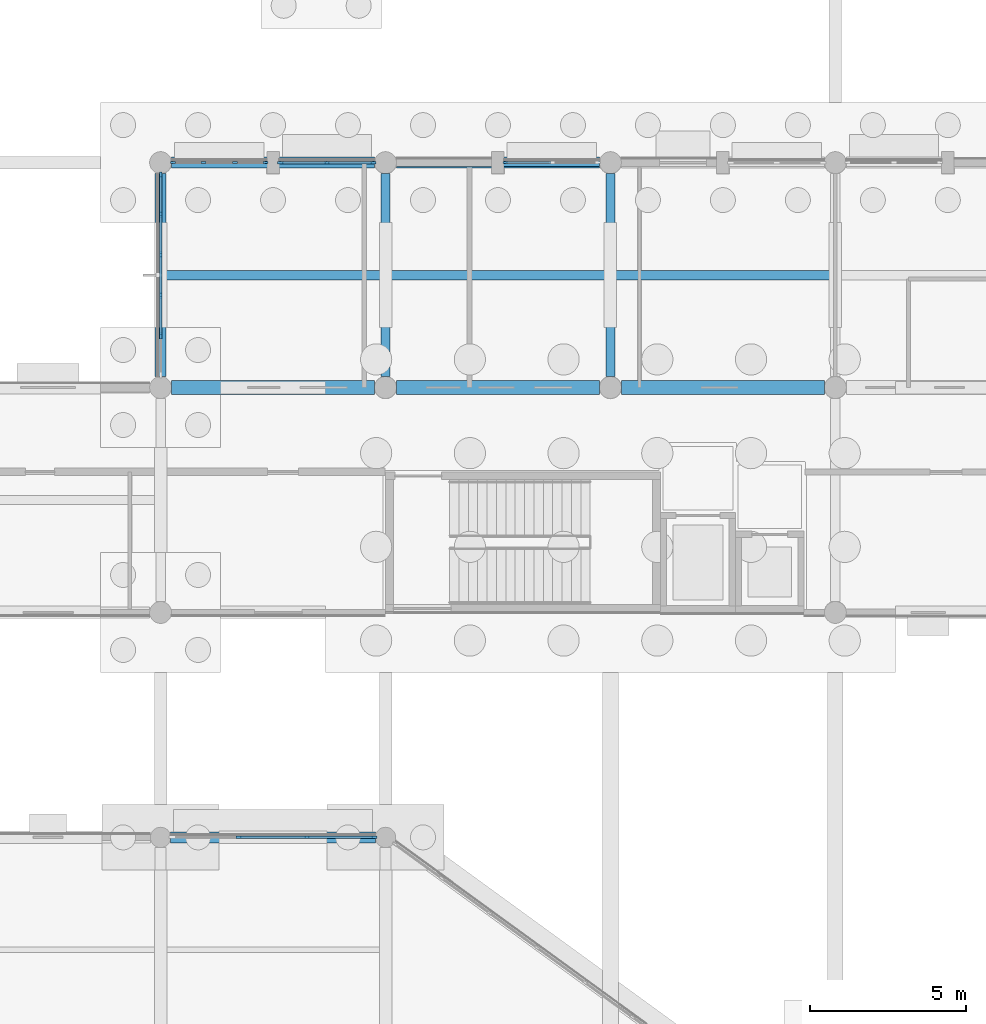
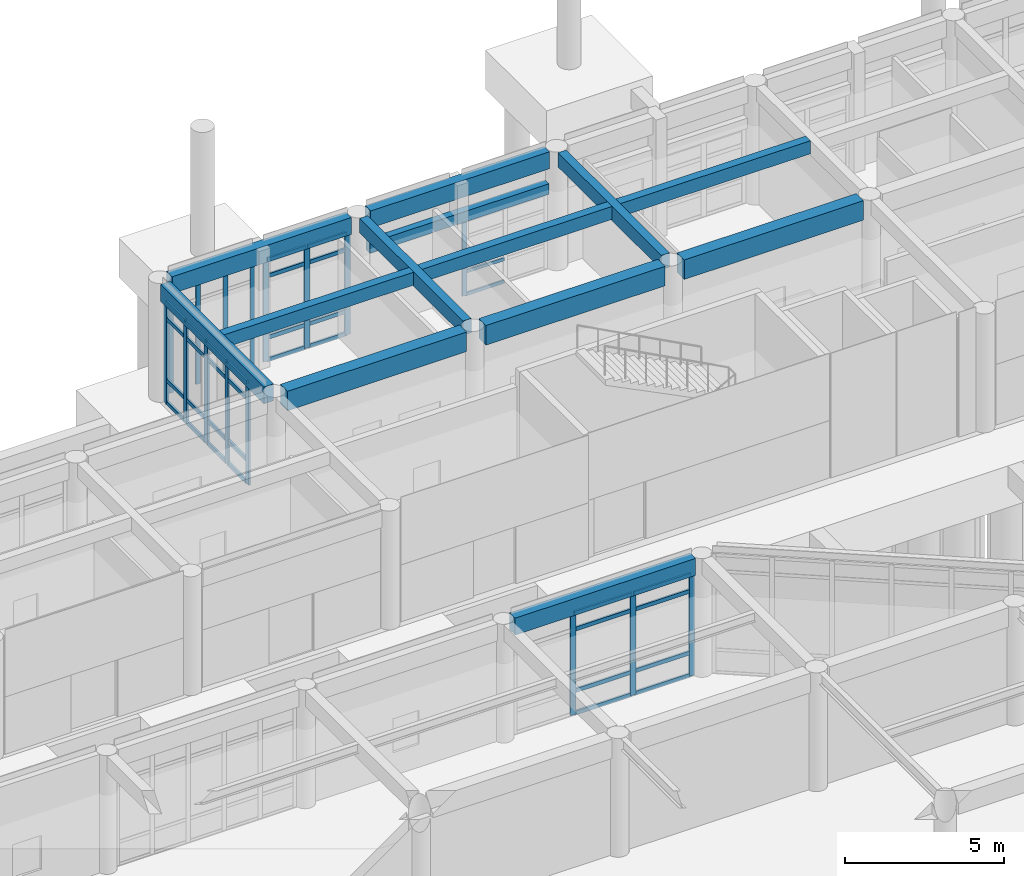
# One storey, part 28 of 103: 50 members, 13 beams, 5 elements without a shape of their own.
"""IFC4 building model written with IfcOpenShell, lengths in metres."""

import ifcopenshell
import ifcopenshell.guid

model = None  # the IFC model being written
_history = None  # IfcOwnerHistory: only IFC2X3 demands one
_inside = {}  # id of a spatial element -> (the spatial element, [elements in it])
_under = {}  # id of a project, library or spatial element -> (it, [spatial elements below it])
_declared = {}  # id of a project -> (the project, [libraries it declares])
_typed = {}  # id of a type object -> (the type object, [elements of that type])
_made_of = {}  # id of a material, layer set ... -> (it, [elements and type objects made of it])


def new_model(schema):
    """Start an empty IFC model of exactly this schema.

    Asked for "IFC4X3", IfcOpenShell would pick the latest addendum, in which some entities
    have other attributes; the version numbers below select the first issue.
    IFC2X3 requires an IfcOwnerHistory on every rooted entity: one is made here for all.
    """
    global model, _history
    if schema == "IFC4X3":
        model = ifcopenshell.file(schema_version=(4, 3, 0, 0))
    else:
        model = ifcopenshell.file(schema=schema)
    _inside.clear()
    _under.clear()
    _declared.clear()
    _typed.clear()
    _made_of.clear()
    _history = None
    if model.schema == "IFC2X3":
        org = make("IfcOrganization", Name="unknown")
        user = make(
            "IfcPersonAndOrganization",
            ThePerson=make("IfcPerson", FamilyName="unknown"),
            TheOrganization=org,
        )
        app = make(
            "IfcApplication",
            ApplicationDeveloper=org,
            Version="unknown",
            ApplicationFullName="unknown",
            ApplicationIdentifier="unknown",
        )
        _history = make(
            "IfcOwnerHistory",
            OwningUser=user,
            OwningApplication=app,
            ChangeAction="ADDED",
            CreationDate=0,
        )
    return model


def make(cls, **values):
    """One entity of the class cls with the attributes given. An attribute that is None is left unset."""
    return model.create_entity(
        cls, **{name: value for name, value in values.items() if value is not None}
    )


def rooted(cls, **values):
    """An entity with a GlobalId (a new one), such as an element, a storey or a relation."""
    return make(cls, GlobalId=ifcopenshell.guid.new(), OwnerHistory=_history, **values)


def si_unit(unit_type, name, prefix=None):
    """IfcSIUnit, for example si_unit("LENGTHUNIT", "METRE", prefix="MILLI")."""
    return make("IfcSIUnit", UnitType=unit_type, Prefix=prefix, Name=name)


def assignment(units):
    """IfcUnitAssignment: the units of a project."""
    return None if units is None else make("IfcUnitAssignment", Units=units)


def point(xyz):
    """IfcCartesianPoint."""
    return None if xyz is None else make("IfcCartesianPoint", Coordinates=xyz)


def direction(xyz):
    """IfcDirection."""
    return None if xyz is None else make("IfcDirection", DirectionRatios=xyz)


def frame(location, z_axis=None, x_axis=None):
    """IfcAxis2Placement3D, a coordinate frame: its origin and axes. An axis left out is left unset."""
    return make(
        "IfcAxis2Placement3D",
        Location=point(location),
        Axis=direction(z_axis),
        RefDirection=direction(x_axis),
    )


def frame_2d(location, x_axis=None):
    """IfcAxis2Placement2D, a coordinate frame in the plane: its origin and x axis."""
    return make(
        "IfcAxis2Placement2D", Location=point(location), RefDirection=direction(x_axis)
    )


def origin():
    """The frame at (0, 0, 0) with its axes left unset."""
    return frame((0.0, 0.0, 0.0))


def origin_2d():
    """The frame at (0, 0) in the plane with its x axis left unset."""
    return frame_2d((0.0, 0.0))


def place(relative_to, where):
    """IfcLocalPlacement: puts the frame where relative to a parent placement (None: the world)."""
    return make(
        "IfcLocalPlacement", PlacementRelTo=relative_to, RelativePlacement=where
    )


def context(
    kind, dimensions, precision=None, world=None, true_north=None, identifier=None
):
    """IfcGeometricRepresentationContext, for example the 3D "Model" context."""
    return make(
        "IfcGeometricRepresentationContext",
        ContextIdentifier=identifier,
        ContextType=kind,
        CoordinateSpaceDimension=dimensions,
        Precision=precision,
        WorldCoordinateSystem=world,
        TrueNorth=true_north,
    )


def subcontext(parent, identifier, kind, view, scale=None):
    """IfcGeometricRepresentationSubContext, for example "Body" below "Model"."""
    return make(
        "IfcGeometricRepresentationSubContext",
        ContextIdentifier=identifier,
        ContextType=kind,
        ParentContext=parent,
        TargetScale=scale,
        TargetView=view,
    )


def project(units=None, contexts=None):
    """IfcProject with its units and contexts."""
    return rooted(
        "IfcProject",
        Name="project",
        RepresentationContexts=contexts,
        UnitsInContext=assignment(units),
    )


def spatial(cls, under=None, at=None, **own):
    """A site, building, storey or space (cls), placed at a placement, below another one or the project."""
    s = rooted(cls, ObjectPlacement=at, **own)
    if under is not None:
        _under.setdefault(under.id(), (under, []))[1].append(s)
    return s


def profile(cls, at=None, kind="AREA", **sizes):
    """A parametric profile (cls). Its sizes go by their IFC names, for example OverallWidth=200.0."""
    return make(cls, ProfileType=kind, Position=at, **sizes)


def rectangle(**sizes):
    """IfcRectangleProfileDef."""
    return profile("IfcRectangleProfileDef", **sizes)


def extrude(swept, where, along, depth):
    """IfcExtrudedAreaSolid: the profile swept, set in the frame where, extruded along a direction by depth."""
    return make(
        "IfcExtrudedAreaSolid",
        SweptArea=swept,
        Position=where,
        ExtrudedDirection=direction(along),
        Depth=depth,
    )


def shape(context_of_items, identifier, shape_type, items):
    """IfcShapeRepresentation: the items that make up one representation, for example the "Body"."""
    return make(
        "IfcShapeRepresentation",
        ContextOfItems=context_of_items,
        RepresentationIdentifier=identifier,
        RepresentationType=shape_type,
        Items=items,
    )


def material(Name=None, Category=None):
    """IfcMaterial."""
    return make("IfcMaterial", Name=Name, Category=Category)


def layer(
    of_material, thickness, ventilated=None, Name=None, Category=None, Priority=None
):
    """IfcMaterialLayer: one layer of a wall or slab, of a material (None: an air gap)."""
    return make(
        "IfcMaterialLayer",
        Material=of_material,
        LayerThickness=thickness,
        IsVentilated=ventilated,
        Name=Name,
        Category=Category,
        Priority=Priority,
    )


def layer_set(layers, Name=None):
    """IfcMaterialLayerSet."""
    return make("IfcMaterialLayerSet", MaterialLayers=layers, LayerSetName=Name)


def material_profile(
    of_material, cross_section, Name=None, Category=None, Priority=None
):
    """IfcMaterialProfile: a cross section and its material."""
    return make(
        "IfcMaterialProfile",
        Name=Name,
        Material=of_material,
        Profile=cross_section,
        Priority=Priority,
        Category=Category,
    )


def profile_set(profiles, Name=None, composite=None):
    """IfcMaterialProfileSet."""
    return make(
        "IfcMaterialProfileSet",
        Name=Name,
        MaterialProfiles=profiles,
        CompositeProfile=composite,
    )


def made_of(thing, what):
    """Note that an element or type object is made of a material, layer set ...; save() writes the relation."""
    if what is not None:
        _made_of.setdefault(what.id(), (what, []))[1].append(thing)
    return thing


def type_object(cls, material=None, **own):
    """A type object (cls), such as IfcWallType, which elements share."""
    return made_of(rooted(cls, **own), material)


def element(
    cls,
    number,
    at=None,
    inside=None,
    cuts=None,
    type_object=None,
    material=None,
    context=None,
    identifier="Body",
    shape_type=None,
    held_by="IfcProductDefinitionShape",
    body=None,
    shapes=None,
    **own,
):
    """One element of the class cls, such as IfcWall. Its Tag is "e" and its number.

    at: its placement. inside: the storey or other place that contains it. cuts: it is an
    opening in that element (IfcRelVoidsElement). A single representation is given by context,
    identifier, shape_type and body (its items); several are given by shapes. held_by: the class
    of the entity that holds the representations. save() writes the other relations.
    """
    e = rooted(cls, Tag="e%d" % number, ObjectPlacement=at, **own)
    if body is not None:
        shapes = [shape(context, identifier, shape_type, body)]
    if shapes is not None:
        e.Representation = make(held_by, Representations=shapes)
    if inside is not None:
        _inside.setdefault(inside.id(), (inside, []))[1].append(e)
    if cuts is not None:
        rooted(
            "IfcRelVoidsElement", RelatingBuildingElement=cuts, RelatedOpeningElement=e
        )
    if type_object is not None:
        _typed.setdefault(type_object.id(), (type_object, []))[1].append(e)
    return made_of(e, material)


def aggregate(whole, parts):
    """IfcRelAggregates: a whole, such as a stair, and the parts it consists of."""
    return rooted("IfcRelAggregates", RelatingObject=whole, RelatedObjects=parts)


def save(model, path):
    """Write the relations noted so far, then the file.

    IfcRelAggregates (storeys below a building ...), IfcRelContainedInSpatialStructure (elements
    in a storey), IfcRelDefinesByType, IfcRelAssociatesMaterial and IfcRelDeclares: one each for
    every whole, place, type object, material and project.
    """
    for whole, parts in _under.values():
        aggregate(whole, parts)
    for where, things in _inside.values():
        rooted(
            "IfcRelContainedInSpatialStructure",
            RelatedElements=things,
            RelatingStructure=where,
        )
    for kind, things in _typed.values():
        rooted("IfcRelDefinesByType", RelatedObjects=things, RelatingType=kind)
    for what, things in _made_of.values():
        rooted("IfcRelAssociatesMaterial", RelatedObjects=things, RelatingMaterial=what)
    for by, libraries in _declared.values():
        rooted("IfcRelDeclares", RelatingContext=by, RelatedDefinitions=libraries)
    model.write(path)


model = new_model("IFC4")

# Units and contexts
model_context = context("Model", 3, precision=1e-05, world=origin(), true_north=direction((0.0, 1.0)))
body_context = subcontext(model_context, "Body", "Model", "MODEL_VIEW")
ifc_project = project(units=[si_unit("LENGTHUNIT", "METRE"), si_unit("AREAUNIT", "SQUARE_METRE"), si_unit("VOLUMEUNIT", "CUBIC_METRE"), si_unit("PLANEANGLEUNIT", "RADIAN"), si_unit("MASSUNIT", "GRAM", prefix="KILO")], contexts=[model_context])

# Site, building, storey
site_placement = place(None, origin())
site = spatial("IfcSite", under=ifc_project, at=site_placement, CompositionType="ELEMENT")
building_placement = place(site_placement, origin())
building = spatial("IfcBuilding", under=site, at=building_placement, Name="Namkhue Oval Health Centre", CompositionType="ELEMENT")
storey_placement = place(building_placement, origin())
storey = spatial("IfcBuildingStorey", under=building, at=storey_placement, Name="L00", CompositionType="ELEMENT", Elevation=0.0)

# Curtain wall, member
ifc_material_1 = material(Name="Anodised aluminium EN AW-6063 T6", Category="aluminium")
ifc_layer_1 = layer(ifc_material_1, 0.159912109375)
ifc_layer_set_1 = layer_set([ifc_layer_1], Name="Anodised aluminium EN AW-6063 T6")
curtain_wall_type_1 = type_object("IfcCurtainWallType", Name="UNITISED CURTAIN WALL M1800", PredefinedType="NOTDEFINED", material=ifc_layer_set_1)
curtain_wall_1_placement = place(storey_placement, origin())
curtain_wall_1 = element("IfcCurtainWall", 1, at=curtain_wall_1_placement, inside=storey, type_object=curtain_wall_type_1, Name="Volume V2 L00 Unitised Curtain Wall 41", PredefinedType="NOTDEFINED")
ifc_material_profile_1 = material_profile(ifc_material_1, rectangle(XDim=0.06494140625, YDim=0.159912109375, at=origin_2d()), Name="ALU 65x160")
ifc_profile_set_1 = profile_set([ifc_material_profile_1], Name="Anodised aluminium EN AW-6063 T6")
member_type_1 = type_object("IfcMemberType", Name="CURTAIN WALL MULLION 65X160", PredefinedType="MULLION", material=ifc_profile_set_1)
member_1_placement = place(storey_placement, frame((61.443603515625, 104.39990234375, 0.0), z_axis=(0.0, 0.0, 1.0), x_axis=(0.0, -1.0, 0.0)))
member_1 = element("IfcMember", 2, at=member_1_placement, type_object=member_type_1, Name="CW-05 mullion 3", PredefinedType="MULLION", context=body_context, shape_type="SweptSolid", body=[
    extrude(rectangle(XDim=0.06494140625, YDim=0.159912109375, at=origin_2d()), origin(), (0.0, 0.0, 1.0), 2.89990234375),
])

# Curtain wall, members
ifc_layer_2 = layer(ifc_material_1, 0.159912109375)
ifc_layer_set_2 = layer_set([ifc_layer_2], Name="Anodised aluminium EN AW-6063 T6")
curtain_wall_type_2 = type_object("IfcCurtainWallType", Name="UNITISED CURTAIN WALL M1200", PredefinedType="NOTDEFINED", material=ifc_layer_set_2)
curtain_wall_2_placement = place(storey_placement, origin())
curtain_wall_2 = element("IfcCurtainWall", 3, at=curtain_wall_2_placement, inside=storey, type_object=curtain_wall_type_2, Name="Volume V2 L00 Unitised Curtain Wall 43", PredefinedType="NOTDEFINED")
member_2_placement = place(storey_placement, frame((53.756591796875, 104.39990234375, 0.0), z_axis=(0.0, 0.0, 1.0), x_axis=(0.0, -1.0, 0.0)))
member_2 = element("IfcMember", 4, at=member_2_placement, type_object=member_type_1, Name="CW-01 mullion 1", PredefinedType="MULLION", context=body_context, shape_type="SweptSolid", body=[
    extrude(rectangle(XDim=0.06494140625, YDim=0.159912109375, at=origin_2d()), origin(), (0.0, 0.0, 1.0), 3.909912109375),
])
member_3_placement = place(storey_placement, frame((52.779296875, 104.39990234375, 0.0), z_axis=(0.0, 0.0, 1.0), x_axis=(0.0, -1.0, 0.0)))
member_3 = element("IfcMember", 5, at=member_3_placement, type_object=member_type_1, Name="CW-01 mullion 2", PredefinedType="MULLION", context=body_context, shape_type="SweptSolid", body=[
    extrude(rectangle(XDim=0.06494140625, YDim=0.159912109375, at=origin_2d()), origin(), (0.0, 0.0, 1.0), 3.909912109375),
])
member_4_placement = place(storey_placement, frame((51.769775390625, 104.39990234375, 0.0), z_axis=(0.0, 0.0, 1.0), x_axis=(0.0, -1.0, 0.0)))
member_4 = element("IfcMember", 6, at=member_4_placement, type_object=member_type_1, Name="CW-01 mullion 3", PredefinedType="MULLION", context=body_context, shape_type="SweptSolid", body=[
    extrude(rectangle(XDim=0.06494140625, YDim=0.159912109375, at=origin_2d()), origin(), (0.0, 0.0, 1.0), 3.909912109375),
])
member_5_placement = place(storey_placement, frame((50.79248046875, 104.39990234375, 0.0), z_axis=(0.0, 0.0, 1.0), x_axis=(0.0, -1.0, 0.0)))
member_5 = element("IfcMember", 7, at=member_5_placement, type_object=member_type_1, Name="CW-01 mullion 4", PredefinedType="MULLION", context=body_context, shape_type="SweptSolid", body=[
    extrude(rectangle(XDim=0.06494140625, YDim=0.159912109375, at=origin_2d()), origin(), (0.0, 0.0, 1.0), 3.909912109375),
])
aggregate(curtain_wall_2, [member_2, member_3, member_4, member_5])

ifc_layer_3 = layer(ifc_material_1, 0.159912109375)
ifc_layer_set_3 = layer_set([ifc_layer_3], Name="Anodised aluminium EN AW-6063 T6")
curtain_wall_type_3 = type_object("IfcCurtainWallType", Name="UNITISED CURTAIN WALL M2000", PredefinedType="NOTDEFINED", material=ifc_layer_set_3)
curtain_wall_3_placement = place(storey_placement, origin())
curtain_wall_3 = element("IfcCurtainWall", 8, at=curtain_wall_3_placement, inside=storey, type_object=curtain_wall_type_3, Name="Volume V1 L00 Unitised Curtain Wall 12", PredefinedType="NOTDEFINED")
ifc_material_profile_2 = material_profile(ifc_material_1, rectangle(XDim=0.074951171875, YDim=0.199951171875, at=origin_2d()), Name="ALU 75x200")
ifc_profile_set_2 = profile_set([ifc_material_profile_2], Name="Anodised aluminium EN AW-6063 T6")
member_type_2 = type_object("IfcMemberType", Name="CURTAIN WALL MULLION 75X200", PredefinedType="MULLION", material=ifc_profile_set_2)
member_6_placement = place(storey_placement, frame((57.2275390625, 82.800048828125, 0.0), z_axis=(0.0, 0.0, 1.0), x_axis=(0.0, -1.0, 0.0)))
member_6 = element("IfcMember", 9, at=member_6_placement, type_object=member_type_2, Name="CW-06 mullion 1", PredefinedType="MULLION", context=body_context, shape_type="SweptSolid", body=[
    extrude(rectangle(XDim=0.074951171875, YDim=0.199951171875, at=origin_2d()), origin(), (0.0, 0.0, 1.0), 3.9150390625),
])
member_7_placement = place(storey_placement, frame((55.08837890625, 82.800048828125, 0.0), z_axis=(0.0, 0.0, 1.0), x_axis=(0.0, -1.0, 0.0)))
member_7 = element("IfcMember", 10, at=member_7_placement, type_object=member_type_2, Name="CW-06 mullion 2", PredefinedType="MULLION", context=body_context, shape_type="SweptSolid", body=[
    extrude(rectangle(XDim=0.074951171875, YDim=0.199951171875, at=origin_2d()), origin(), (0.0, 0.0, 1.0), 3.9150390625),
])
member_8_placement = place(storey_placement, frame((52.91162109375, 82.800048828125, 0.0), z_axis=(0.0, 0.0, 1.0), x_axis=(0.0, -1.0, 0.0)))
member_8 = element("IfcMember", 11, at=member_8_placement, type_object=member_type_2, Name="CW-06 mullion 3", PredefinedType="MULLION", context=body_context, shape_type="SweptSolid", body=[
    extrude(rectangle(XDim=0.074951171875, YDim=0.199951171875, at=origin_2d()), origin(), (0.0, 0.0, 1.0), 3.9150390625),
])

curtain_wall_4_placement = place(storey_placement, origin())
curtain_wall_4 = element("IfcCurtainWall", 12, at=curtain_wall_4_placement, inside=storey, type_object=curtain_wall_type_3, Name="Volume V2 L00 Unitised Curtain Wall 42", PredefinedType="NOTDEFINED")
member_9_placement = place(storey_placement, frame((57.202392578125, 104.39990234375, 0.0), z_axis=(0.0, 0.0, 1.0), x_axis=(0.0, -1.0, 0.0)))
member_9 = element("IfcMember", 13, at=member_9_placement, type_object=member_type_2, Name="CW-06 mullion 1", PredefinedType="MULLION", context=body_context, shape_type="SweptSolid", body=[
    extrude(rectangle(XDim=0.074951171875, YDim=0.199951171875, at=origin_2d()), origin(), (0.0, 0.0, 1.0), 3.909912109375),
])
member_10_placement = place(storey_placement, frame((55.7255859375, 104.39990234375, 0.0), z_axis=(0.0, 0.0, 1.0), x_axis=(0.0, -1.0, 0.0)))
member_10 = element("IfcMember", 14, at=member_10_placement, type_object=member_type_2, Name="CW-06 mullion 2", PredefinedType="MULLION", context=body_context, shape_type="SweptSolid", body=[
    extrude(rectangle(XDim=0.074951171875, YDim=0.199951171875, at=origin_2d()), origin(), (0.0, 0.0, 1.0), 3.909912109375),
])
member_11_placement = place(storey_placement, frame((54.24853515625, 104.39990234375, 0.0), z_axis=(0.0, 0.0, 1.0), x_axis=(0.0, -1.0, 0.0)))
member_11 = element("IfcMember", 15, at=member_11_placement, type_object=member_type_2, Name="CW-06 mullion 3", PredefinedType="MULLION", context=body_context, shape_type="SweptSolid", body=[
    extrude(rectangle(XDim=0.074951171875, YDim=0.199951171875, at=origin_2d()), origin(), (0.0, 0.0, 1.0), 3.909912109375),
])

ifc_layer_4 = layer(ifc_material_1, 0.159912109375)
ifc_layer_set_4 = layer_set([ifc_layer_4], Name="Anodised aluminium EN AW-6063 T6")
curtain_wall_type_4 = type_object("IfcCurtainWallType", Name="UNITISED CURTAIN WALL M1350", PredefinedType="NOTDEFINED", material=ifc_layer_set_4)
curtain_wall_5_placement = place(storey_placement, origin())
curtain_wall_5 = element("IfcCurtainWall", 16, at=curtain_wall_5_placement, inside=storey, type_object=curtain_wall_type_4, Name="Volume V2 L00 Unitised Curtain Wall 44", PredefinedType="NOTDEFINED")
member_12_placement = place(storey_placement, frame((50.39990234375, 104.00244140625, 0.0), z_axis=(0.0, 0.0, 1.0), x_axis=(1.0, 0.0, 0.0)))
member_12 = element("IfcMember", 17, at=member_12_placement, type_object=member_type_2, Name="CW-02 mullion 1", PredefinedType="MULLION", context=body_context, shape_type="SweptSolid", body=[
    extrude(rectangle(XDim=0.074951171875, YDim=0.199951171875, at=origin_2d()), origin(), (0.0, 0.0, 1.0), 3.909912109375),
])
member_13_placement = place(storey_placement, frame((50.39990234375, 102.743896484375, 0.0), z_axis=(0.0, 0.0, 1.0), x_axis=(1.0, 0.0, 0.0)))
member_13 = element("IfcMember", 18, at=member_13_placement, type_object=member_type_2, Name="CW-02 mullion 2", PredefinedType="MULLION", context=body_context, shape_type="SweptSolid", body=[
    extrude(rectangle(XDim=0.074951171875, YDim=0.199951171875, at=origin_2d()), origin(), (0.0, 0.0, 1.0), 3.909912109375),
])
member_14_placement = place(storey_placement, frame((50.39990234375, 101.447998046875, 0.0), z_axis=(0.0, 0.0, 1.0), x_axis=(1.0, 0.0, 0.0)))
member_14 = element("IfcMember", 19, at=member_14_placement, type_object=member_type_2, Name="CW-02 mullion 3", PredefinedType="MULLION", context=body_context, shape_type="SweptSolid", body=[
    extrude(rectangle(XDim=0.074951171875, YDim=0.199951171875, at=origin_2d()), origin(), (0.0, 0.0, 1.0), 3.909912109375),
])
member_15_placement = place(storey_placement, frame((50.39990234375, 100.152099609375, 0.0), z_axis=(0.0, 0.0, 1.0), x_axis=(1.0, 0.0, 0.0)))
member_15 = element("IfcMember", 20, at=member_15_placement, type_object=member_type_2, Name="CW-02 mullion 4", PredefinedType="MULLION", context=body_context, shape_type="SweptSolid", body=[
    extrude(rectangle(XDim=0.074951171875, YDim=0.199951171875, at=origin_2d()), origin(), (0.0, 0.0, 1.0), 3.909912109375),
])
member_16_placement = place(storey_placement, frame((50.39990234375, 98.85595703125, 0.0), z_axis=(0.0, 0.0, 1.0), x_axis=(1.0, 0.0, 0.0)))
member_16 = element("IfcMember", 21, at=member_16_placement, type_object=member_type_2, Name="CW-02 mullion 5", PredefinedType="MULLION", context=body_context, shape_type="SweptSolid", body=[
    extrude(rectangle(XDim=0.074951171875, YDim=0.199951171875, at=origin_2d()), origin(), (0.0, 0.0, 1.0), 3.909912109375),
])

# Member
ifc_material_profile_3 = material_profile(ifc_material_1, rectangle(XDim=0.06494140625, YDim=0.1201171875, at=origin_2d()), Name="ALU 65x120")
ifc_profile_set_3 = profile_set([ifc_material_profile_3], Name="Anodised aluminium EN AW-6063 T6")
member_type_3 = type_object("IfcMemberType", Name="CURTAIN WALL TRANSOM 65X120", PredefinedType="USERDEFINED", material=ifc_profile_set_3)
member_17_placement = place(storey_placement, frame((62.89306640625, 104.39990234375, 0.032470703125), z_axis=(-1.0, 0.0, 0.0), x_axis=(0.0, -1.0, 0.0)))
member_17 = element("IfcMember", 22, at=member_17_placement, type_object=member_type_3, Name="CW-05 transom 2.1", ObjectType="TRANSOM", PredefinedType="USERDEFINED", context=body_context, shape_type="SweptSolid", body=[
    extrude(rectangle(XDim=0.06494140625, YDim=0.1201171875, at=origin_2d()), origin(), (0.0, 0.0, 1.0), 1.4169921875),
])

member_18_placement = place(storey_placement, frame((62.89306640625, 104.39990234375, 0.89990234375), z_axis=(-1.0, 0.0, 0.0), x_axis=(0.0, -1.0, 0.0)))
member_18 = element("IfcMember", 23, at=member_18_placement, type_object=member_type_3, Name="CW-05 transom 2.2", ObjectType="TRANSOM", PredefinedType="USERDEFINED", context=body_context, shape_type="SweptSolid", body=[
    extrude(rectangle(XDim=0.06494140625, YDim=0.1201171875, at=origin_2d()), origin(), (0.0, 0.0, 1.0), 1.4169921875),
])

aggregate(curtain_wall_1, [member_1, member_17, member_18])

ifc_material_profile_4 = material_profile(ifc_material_1, rectangle(XDim=0.074951171875, YDim=0.14990234375, at=origin_2d()), Name="ALU 75x150")
ifc_profile_set_4 = profile_set([ifc_material_profile_4], Name="Anodised aluminium EN AW-6063 T6")
member_type_4 = type_object("IfcMemberType", Name="CURTAIN WALL TRANSOM 75X150", PredefinedType="USERDEFINED", material=ifc_profile_set_4)
member_19_placement = place(storey_placement, frame((57.18994140625, 82.800048828125, 0.03759765625), z_axis=(-1.0, 0.0, 0.0), x_axis=(0.0, -1.0, 0.0)))
member_19 = element("IfcMember", 24, at=member_19_placement, type_object=member_type_4, Name="CW-06 transom 1.1", ObjectType="TRANSOM", PredefinedType="USERDEFINED", context=body_context, shape_type="SweptSolid", body=[
    extrude(rectangle(XDim=0.074951171875, YDim=0.14990234375, at=origin_2d()), origin(), (0.0, 0.0, 1.0), 2.064208984375),
])

member_20_placement = place(storey_placement, frame((57.18994140625, 82.800048828125, 0.89990234375), z_axis=(-1.0, 0.0, 0.0), x_axis=(0.0, -1.0, 0.0)))
member_20 = element("IfcMember", 25, at=member_20_placement, type_object=member_type_4, Name="CW-06 transom 1.2", ObjectType="TRANSOM", PredefinedType="USERDEFINED", context=body_context, shape_type="SweptSolid", body=[
    extrude(rectangle(XDim=0.074951171875, YDim=0.14990234375, at=origin_2d()), origin(), (0.0, 0.0, 1.0), 2.064208984375),
])

member_21_placement = place(storey_placement, frame((57.18994140625, 82.800048828125, 3.264892578125), z_axis=(-1.0, 0.0, 0.0), x_axis=(0.0, -1.0, 0.0)))
member_21 = element("IfcMember", 26, at=member_21_placement, type_object=member_type_4, Name="CW-06 transom 1.3", ObjectType="TRANSOM", PredefinedType="USERDEFINED", context=body_context, shape_type="SweptSolid", body=[
    extrude(rectangle(XDim=0.074951171875, YDim=0.14990234375, at=origin_2d()), origin(), (0.0, 0.0, 1.0), 2.064208984375),
])

member_22_placement = place(storey_placement, frame((57.18994140625, 82.800048828125, 3.87744140625), z_axis=(-1.0, 0.0, 0.0), x_axis=(0.0, -1.0, 0.0)))
member_22 = element("IfcMember", 27, at=member_22_placement, type_object=member_type_4, Name="CW-06 transom 1.4", ObjectType="TRANSOM", PredefinedType="USERDEFINED", context=body_context, shape_type="SweptSolid", body=[
    extrude(rectangle(XDim=0.074951171875, YDim=0.14990234375, at=origin_2d()), origin(), (0.0, 0.0, 1.0), 2.064208984375),
])

member_23_placement = place(storey_placement, frame((55.05078125, 82.800048828125, 0.03759765625), z_axis=(-1.0, 0.0, 0.0), x_axis=(0.0, -1.0, 0.0)))
member_23 = element("IfcMember", 28, at=member_23_placement, type_object=member_type_4, Name="CW-06 transom 2.1", ObjectType="TRANSOM", PredefinedType="USERDEFINED", context=body_context, shape_type="SweptSolid", body=[
    extrude(rectangle(XDim=0.074951171875, YDim=0.14990234375, at=origin_2d()), origin(), (0.0, 0.0, 1.0), 2.1015625),
])

member_24_placement = place(storey_placement, frame((55.05078125, 82.800048828125, 0.89990234375), z_axis=(-1.0, 0.0, 0.0), x_axis=(0.0, -1.0, 0.0)))
member_24 = element("IfcMember", 29, at=member_24_placement, type_object=member_type_4, Name="CW-06 transom 2.2", ObjectType="TRANSOM", PredefinedType="USERDEFINED", context=body_context, shape_type="SweptSolid", body=[
    extrude(rectangle(XDim=0.074951171875, YDim=0.14990234375, at=origin_2d()), origin(), (0.0, 0.0, 1.0), 2.1015625),
])

member_25_placement = place(storey_placement, frame((55.05078125, 82.800048828125, 3.264892578125), z_axis=(-1.0, 0.0, 0.0), x_axis=(0.0, -1.0, 0.0)))
member_25 = element("IfcMember", 30, at=member_25_placement, type_object=member_type_4, Name="CW-06 transom 2.3", ObjectType="TRANSOM", PredefinedType="USERDEFINED", context=body_context, shape_type="SweptSolid", body=[
    extrude(rectangle(XDim=0.074951171875, YDim=0.14990234375, at=origin_2d()), origin(), (0.0, 0.0, 1.0), 2.1015625),
])

member_26_placement = place(storey_placement, frame((55.05078125, 82.800048828125, 3.87744140625), z_axis=(-1.0, 0.0, 0.0), x_axis=(0.0, -1.0, 0.0)))
member_26 = element("IfcMember", 31, at=member_26_placement, type_object=member_type_4, Name="CW-06 transom 2.4", ObjectType="TRANSOM", PredefinedType="USERDEFINED", context=body_context, shape_type="SweptSolid", body=[
    extrude(rectangle(XDim=0.074951171875, YDim=0.14990234375, at=origin_2d()), origin(), (0.0, 0.0, 1.0), 2.1015625),
])

aggregate(curtain_wall_3, [member_6, member_7, member_8, member_19, member_20, member_21, member_22, member_23, member_24, member_25, member_26])

member_27_placement = place(storey_placement, frame((57.1650390625, 104.39990234375, 0.03759765625), z_axis=(-1.0, 0.0, 0.0), x_axis=(0.0, -1.0, 0.0)))
member_27 = element("IfcMember", 32, at=member_27_placement, type_object=member_type_4, Name="CW-06 transom 1.1", ObjectType="TRANSOM", PredefinedType="USERDEFINED", context=body_context, shape_type="SweptSolid", body=[
    extrude(rectangle(XDim=0.074951171875, YDim=0.14990234375, at=origin_2d()), origin(), (0.0, 0.0, 1.0), 1.402099609375),
])

member_28_placement = place(storey_placement, frame((57.1650390625, 104.39990234375, 0.89990234375), z_axis=(-1.0, 0.0, 0.0), x_axis=(0.0, -1.0, 0.0)))
member_28 = element("IfcMember", 33, at=member_28_placement, type_object=member_type_4, Name="CW-06 transom 1.2", ObjectType="TRANSOM", PredefinedType="USERDEFINED", context=body_context, shape_type="SweptSolid", body=[
    extrude(rectangle(XDim=0.074951171875, YDim=0.14990234375, at=origin_2d()), origin(), (0.0, 0.0, 1.0), 1.402099609375),
])

member_29_placement = place(storey_placement, frame((57.1650390625, 104.39990234375, 3.260009765625), z_axis=(-1.0, 0.0, 0.0), x_axis=(0.0, -1.0, 0.0)))
member_29 = element("IfcMember", 34, at=member_29_placement, type_object=member_type_4, Name="CW-06 transom 1.3", ObjectType="TRANSOM", PredefinedType="USERDEFINED", context=body_context, shape_type="SweptSolid", body=[
    extrude(rectangle(XDim=0.074951171875, YDim=0.14990234375, at=origin_2d()), origin(), (0.0, 0.0, 1.0), 1.402099609375),
])

member_30_placement = place(storey_placement, frame((57.1650390625, 104.39990234375, 3.87255859375), z_axis=(-1.0, 0.0, 0.0), x_axis=(0.0, -1.0, 0.0)))
member_30 = element("IfcMember", 35, at=member_30_placement, type_object=member_type_4, Name="CW-06 transom 1.4", ObjectType="TRANSOM", PredefinedType="USERDEFINED", context=body_context, shape_type="SweptSolid", body=[
    extrude(rectangle(XDim=0.074951171875, YDim=0.14990234375, at=origin_2d()), origin(), (0.0, 0.0, 1.0), 1.402099609375),
])

member_31_placement = place(storey_placement, frame((55.68798828125, 104.39990234375, 0.03759765625), z_axis=(-1.0, 0.0, 0.0), x_axis=(0.0, -1.0, 0.0)))
member_31 = element("IfcMember", 36, at=member_31_placement, type_object=member_type_4, Name="CW-06 transom 2.1", ObjectType="TRANSOM", PredefinedType="USERDEFINED", context=body_context, shape_type="SweptSolid", body=[
    extrude(rectangle(XDim=0.074951171875, YDim=0.14990234375, at=origin_2d()), origin(), (0.0, 0.0, 1.0), 1.402099609375),
])

member_32_placement = place(storey_placement, frame((55.68798828125, 104.39990234375, 0.89990234375), z_axis=(-1.0, 0.0, 0.0), x_axis=(0.0, -1.0, 0.0)))
member_32 = element("IfcMember", 37, at=member_32_placement, type_object=member_type_4, Name="CW-06 transom 2.2", ObjectType="TRANSOM", PredefinedType="USERDEFINED", context=body_context, shape_type="SweptSolid", body=[
    extrude(rectangle(XDim=0.074951171875, YDim=0.14990234375, at=origin_2d()), origin(), (0.0, 0.0, 1.0), 1.402099609375),
])

member_33_placement = place(storey_placement, frame((55.68798828125, 104.39990234375, 3.260009765625), z_axis=(-1.0, 0.0, 0.0), x_axis=(0.0, -1.0, 0.0)))
member_33 = element("IfcMember", 38, at=member_33_placement, type_object=member_type_4, Name="CW-06 transom 2.3", ObjectType="TRANSOM", PredefinedType="USERDEFINED", context=body_context, shape_type="SweptSolid", body=[
    extrude(rectangle(XDim=0.074951171875, YDim=0.14990234375, at=origin_2d()), origin(), (0.0, 0.0, 1.0), 1.402099609375),
])

member_34_placement = place(storey_placement, frame((55.68798828125, 104.39990234375, 3.87255859375), z_axis=(-1.0, 0.0, 0.0), x_axis=(0.0, -1.0, 0.0)))
member_34 = element("IfcMember", 39, at=member_34_placement, type_object=member_type_4, Name="CW-06 transom 2.4", ObjectType="TRANSOM", PredefinedType="USERDEFINED", context=body_context, shape_type="SweptSolid", body=[
    extrude(rectangle(XDim=0.074951171875, YDim=0.14990234375, at=origin_2d()), origin(), (0.0, 0.0, 1.0), 1.402099609375),
])

aggregate(curtain_wall_4, [member_9, member_10, member_11, member_27, member_28, member_29, member_30, member_31, member_32, member_33, member_34])

member_35_placement = place(storey_placement, frame((50.39990234375, 103.965087890625, 0.03759765625), z_axis=(0.0, -1.0, 0.0), x_axis=(1.0, 0.0, 0.0)))
member_35 = element("IfcMember", 40, at=member_35_placement, type_object=member_type_4, Name="CW-02 transom 1.1", ObjectType="TRANSOM", PredefinedType="USERDEFINED", context=body_context, shape_type="SweptSolid", body=[
    extrude(rectangle(XDim=0.074951171875, YDim=0.14990234375, at=origin_2d()), origin(), (0.0, 0.0, 1.0), 1.18359375),
])

member_36_placement = place(storey_placement, frame((50.39990234375, 103.965087890625, 0.89990234375), z_axis=(0.0, -1.0, 0.0), x_axis=(1.0, 0.0, 0.0)))
member_36 = element("IfcMember", 41, at=member_36_placement, type_object=member_type_4, Name="CW-02 transom 1.2", ObjectType="TRANSOM", PredefinedType="USERDEFINED", context=body_context, shape_type="SweptSolid", body=[
    extrude(rectangle(XDim=0.074951171875, YDim=0.14990234375, at=origin_2d()), origin(), (0.0, 0.0, 1.0), 1.18359375),
])

member_37_placement = place(storey_placement, frame((50.39990234375, 103.965087890625, 3.260009765625), z_axis=(0.0, -1.0, 0.0), x_axis=(1.0, 0.0, 0.0)))
member_37 = element("IfcMember", 42, at=member_37_placement, type_object=member_type_4, Name="CW-02 transom 1.3", ObjectType="TRANSOM", PredefinedType="USERDEFINED", context=body_context, shape_type="SweptSolid", body=[
    extrude(rectangle(XDim=0.074951171875, YDim=0.14990234375, at=origin_2d()), origin(), (0.0, 0.0, 1.0), 1.18359375),
])

member_38_placement = place(storey_placement, frame((50.39990234375, 103.965087890625, 3.87255859375), z_axis=(0.0, -1.0, 0.0), x_axis=(1.0, 0.0, 0.0)))
member_38 = element("IfcMember", 43, at=member_38_placement, type_object=member_type_4, Name="CW-02 transom 1.4", ObjectType="TRANSOM", PredefinedType="USERDEFINED", context=body_context, shape_type="SweptSolid", body=[
    extrude(rectangle(XDim=0.074951171875, YDim=0.14990234375, at=origin_2d()), origin(), (0.0, 0.0, 1.0), 1.18359375),
])

member_39_placement = place(storey_placement, frame((50.39990234375, 102.70654296875, 0.03759765625), z_axis=(0.0, -1.0, 0.0), x_axis=(1.0, 0.0, 0.0)))
member_39 = element("IfcMember", 44, at=member_39_placement, type_object=member_type_4, Name="CW-02 transom 2.1", ObjectType="TRANSOM", PredefinedType="USERDEFINED", context=body_context, shape_type="SweptSolid", body=[
    extrude(rectangle(XDim=0.074951171875, YDim=0.14990234375, at=origin_2d()), origin(), (0.0, 0.0, 1.0), 1.220947265625),
])

member_40_placement = place(storey_placement, frame((50.39990234375, 102.70654296875, 0.89990234375), z_axis=(0.0, -1.0, 0.0), x_axis=(1.0, 0.0, 0.0)))
member_40 = element("IfcMember", 45, at=member_40_placement, type_object=member_type_4, Name="CW-02 transom 2.2", ObjectType="TRANSOM", PredefinedType="USERDEFINED", context=body_context, shape_type="SweptSolid", body=[
    extrude(rectangle(XDim=0.074951171875, YDim=0.14990234375, at=origin_2d()), origin(), (0.0, 0.0, 1.0), 1.220947265625),
])

member_41_placement = place(storey_placement, frame((50.39990234375, 102.70654296875, 3.260009765625), z_axis=(0.0, -1.0, 0.0), x_axis=(1.0, 0.0, 0.0)))
member_41 = element("IfcMember", 46, at=member_41_placement, type_object=member_type_4, Name="CW-02 transom 2.3", ObjectType="TRANSOM", PredefinedType="USERDEFINED", context=body_context, shape_type="SweptSolid", body=[
    extrude(rectangle(XDim=0.074951171875, YDim=0.14990234375, at=origin_2d()), origin(), (0.0, 0.0, 1.0), 1.220947265625),
])

member_42_placement = place(storey_placement, frame((50.39990234375, 102.70654296875, 3.87255859375), z_axis=(0.0, -1.0, 0.0), x_axis=(1.0, 0.0, 0.0)))
member_42 = element("IfcMember", 47, at=member_42_placement, type_object=member_type_4, Name="CW-02 transom 2.4", ObjectType="TRANSOM", PredefinedType="USERDEFINED", context=body_context, shape_type="SweptSolid", body=[
    extrude(rectangle(XDim=0.074951171875, YDim=0.14990234375, at=origin_2d()), origin(), (0.0, 0.0, 1.0), 1.220947265625),
])

member_43_placement = place(storey_placement, frame((50.39990234375, 101.410400390625, 0.03759765625), z_axis=(0.0, -1.0, 0.0), x_axis=(1.0, 0.0, 0.0)))
member_43 = element("IfcMember", 48, at=member_43_placement, type_object=member_type_4, Name="CW-02 transom 3.1", ObjectType="TRANSOM", PredefinedType="USERDEFINED", context=body_context, shape_type="SweptSolid", body=[
    extrude(rectangle(XDim=0.074951171875, YDim=0.14990234375, at=origin_2d()), origin(), (0.0, 0.0, 1.0), 1.220947265625),
])

member_44_placement = place(storey_placement, frame((50.39990234375, 101.410400390625, 0.89990234375), z_axis=(0.0, -1.0, 0.0), x_axis=(1.0, 0.0, 0.0)))
member_44 = element("IfcMember", 49, at=member_44_placement, type_object=member_type_4, Name="CW-02 transom 3.2", ObjectType="TRANSOM", PredefinedType="USERDEFINED", context=body_context, shape_type="SweptSolid", body=[
    extrude(rectangle(XDim=0.074951171875, YDim=0.14990234375, at=origin_2d()), origin(), (0.0, 0.0, 1.0), 1.220947265625),
])

member_45_placement = place(storey_placement, frame((50.39990234375, 101.410400390625, 3.260009765625), z_axis=(0.0, -1.0, 0.0), x_axis=(1.0, 0.0, 0.0)))
member_45 = element("IfcMember", 50, at=member_45_placement, type_object=member_type_4, Name="CW-02 transom 3.3", ObjectType="TRANSOM", PredefinedType="USERDEFINED", context=body_context, shape_type="SweptSolid", body=[
    extrude(rectangle(XDim=0.074951171875, YDim=0.14990234375, at=origin_2d()), origin(), (0.0, 0.0, 1.0), 1.220947265625),
])

member_46_placement = place(storey_placement, frame((50.39990234375, 101.410400390625, 3.87255859375), z_axis=(0.0, -1.0, 0.0), x_axis=(1.0, 0.0, 0.0)))
member_46 = element("IfcMember", 51, at=member_46_placement, type_object=member_type_4, Name="CW-02 transom 3.4", ObjectType="TRANSOM", PredefinedType="USERDEFINED", context=body_context, shape_type="SweptSolid", body=[
    extrude(rectangle(XDim=0.074951171875, YDim=0.14990234375, at=origin_2d()), origin(), (0.0, 0.0, 1.0), 1.220947265625),
])

member_47_placement = place(storey_placement, frame((50.39990234375, 100.114501953125, 0.03759765625), z_axis=(0.0, -1.0, 0.0), x_axis=(1.0, 0.0, 0.0)))
member_47 = element("IfcMember", 52, at=member_47_placement, type_object=member_type_4, Name="CW-02 transom 4.1", ObjectType="TRANSOM", PredefinedType="USERDEFINED", context=body_context, shape_type="SweptSolid", body=[
    extrude(rectangle(XDim=0.074951171875, YDim=0.14990234375, at=origin_2d()), origin(), (0.0, 0.0, 1.0), 1.220947265625),
])

member_48_placement = place(storey_placement, frame((50.39990234375, 100.114501953125, 0.89990234375), z_axis=(0.0, -1.0, 0.0), x_axis=(1.0, 0.0, 0.0)))
member_48 = element("IfcMember", 53, at=member_48_placement, type_object=member_type_4, Name="CW-02 transom 4.2", ObjectType="TRANSOM", PredefinedType="USERDEFINED", context=body_context, shape_type="SweptSolid", body=[
    extrude(rectangle(XDim=0.074951171875, YDim=0.14990234375, at=origin_2d()), origin(), (0.0, 0.0, 1.0), 1.220947265625),
])

member_49_placement = place(storey_placement, frame((50.39990234375, 100.114501953125, 3.260009765625), z_axis=(0.0, -1.0, 0.0), x_axis=(1.0, 0.0, 0.0)))
member_49 = element("IfcMember", 54, at=member_49_placement, type_object=member_type_4, Name="CW-02 transom 4.3", ObjectType="TRANSOM", PredefinedType="USERDEFINED", context=body_context, shape_type="SweptSolid", body=[
    extrude(rectangle(XDim=0.074951171875, YDim=0.14990234375, at=origin_2d()), origin(), (0.0, 0.0, 1.0), 1.220947265625),
])

member_50_placement = place(storey_placement, frame((50.39990234375, 100.114501953125, 3.87255859375), z_axis=(0.0, -1.0, 0.0), x_axis=(1.0, 0.0, 0.0)))
member_50 = element("IfcMember", 55, at=member_50_placement, type_object=member_type_4, Name="CW-02 transom 4.4", ObjectType="TRANSOM", PredefinedType="USERDEFINED", context=body_context, shape_type="SweptSolid", body=[
    extrude(rectangle(XDim=0.074951171875, YDim=0.14990234375, at=origin_2d()), origin(), (0.0, 0.0, 1.0), 1.220947265625),
])

aggregate(curtain_wall_5, [member_12, member_13, member_14, member_15, member_16, member_35, member_36, member_37, member_38, member_39, member_40, member_41, member_42, member_43, member_44, member_45, member_46, member_47, member_48, member_49, member_50])

# Beams
ifc_material_2 = material(Name="Reinforced concrete C30/37 (TCVN B35)", Category="concrete")
ifc_material_profile_5 = material_profile(ifc_material_2, rectangle(XDim=0.300048828125, YDim=0.550048828125, at=origin_2d()), Name="RC 300x550")
ifc_profile_set_5 = profile_set([ifc_material_profile_5], Name="Reinforced concrete C30/37 (TCVN B35)")
beam_type_1 = type_object("IfcBeamType", Name="FLOOR BEAM RC 300X550", PredefinedType="BEAM", material=ifc_profile_set_5)
for number, where, z_axis, x_axis, name in (
    (56, (57.60009765625, 97.550048828125, 4.284912109375), (0.0, 1.0, 0.0), (-1.0, 0.0, 0.0), "Volume V2 L01 Beam 9/O-P"),
    (57, (64.800048828125, 97.550048828125, 4.284912109375), (0.0, 1.0, 0.0), (-1.0, 0.0, 0.0), "Volume V2 L01 Beam 10/O-P"),
):
    element("IfcBeam", number, at=place(storey_placement, frame(where, z_axis=z_axis, x_axis=x_axis)), inside=storey, type_object=beam_type_1, Name=name, PredefinedType="BEAM", context=body_context, shape_type="SweptSolid", body=[
        extrude(rectangle(XDim=0.300048828125, YDim=0.550048828125, at=origin_2d()), origin(), (0.0, 0.0, 1.0), 6.5),
    ])
ifc_material_profile_6 = material_profile(ifc_material_2, rectangle(XDim=0.25, YDim=0.39990234375, at=origin_2d()), Name="RC 250x400")
ifc_profile_set_6 = profile_set([ifc_material_profile_6], Name="Reinforced concrete C30/37 (TCVN B35)")
beam_type_2 = type_object("IfcBeamType", Name="OPENING LINTEL BEAM 250X400", PredefinedType="LINTEL", material=ifc_profile_set_6)
beam_1_placement = place(storey_placement, frame((57.949951171875, 104.39990234375, 3.10009765625), z_axis=(1.0, 0.0, 0.0), x_axis=(0.0, 1.0, 0.0)))
element("IfcBeam", 58, at=beam_1_placement, inside=storey, type_object=beam_type_2, Name="Volume V2 L00 Portal Lintel Beam 1", PredefinedType="LINTEL", context=body_context, shape_type="SweptSolid", body=[
    extrude(rectangle(XDim=0.25, YDim=0.39990234375, at=origin_2d()), origin(), (0.0, 0.0, 1.0), 6.5),
])
ifc_material_3 = material(Name="Reinforced concrete C35/45 (TCVN B40)", Category="concrete")
ifc_material_profile_7 = material_profile(ifc_material_3, rectangle(XDim=0.35009765625, YDim=0.64990234375, at=origin_2d()), Name="RC 350x650")
ifc_profile_set_7 = profile_set([ifc_material_profile_7], Name="Reinforced concrete C35/45 (TCVN B40)")
beam_type_3 = type_object("IfcBeamType", Name="PERIMETER SPANDREL BEAM 350X650", PredefinedType="SPANDREL", material=ifc_profile_set_7)
beam_2_placement = place(storey_placement, frame((50.72509765625, 82.800048828125, 4.239990234375), z_axis=(1.0, 0.0, 0.0), x_axis=(0.0, 1.0, 0.0)))
element("IfcBeam", 59, at=beam_2_placement, inside=storey, type_object=beam_type_3, Name="Volume V1 L01 Girder M/8-9", PredefinedType="SPANDREL", context=body_context, shape_type="SweptSolid", body=[
    extrude(rectangle(XDim=0.35009765625, YDim=0.64990234375, at=origin_2d()), origin(), (0.0, 0.0, 1.0), 6.5498046875),
])
for number, where, z_axis, x_axis, name in (
    (60, (50.75, 104.39990234375, 4.235107421875), (1.0, 0.0, 0.0), (0.0, 1.0, 0.0), "Volume V2 L01 Girder P/8-9"),
    (61, (57.949951171875, 104.39990234375, 4.235107421875), (1.0, 0.0, 0.0), (0.0, 1.0, 0.0), "Volume V2 L01 Girder P/9-10"),
    (62, (50.39990234375, 97.550048828125, 4.235107421875), (0.0, 1.0, 0.0), (-1.0, 0.0, 0.0), "Volume V2 L01 Beam 8/O-P"),
):
    element("IfcBeam", number, at=place(storey_placement, frame(where, z_axis=z_axis, x_axis=x_axis)), inside=storey, type_object=beam_type_3, Name=name, PredefinedType="SPANDREL", context=body_context, shape_type="SweptSolid", body=[
        extrude(rectangle(XDim=0.35009765625, YDim=0.64990234375, at=origin_2d()), origin(), (0.0, 0.0, 1.0), 6.5),
    ])
ifc_material_profile_8 = material_profile(ifc_material_3, rectangle(XDim=0.449951171875, YDim=0.75, at=origin_2d()), Name="RC 450x750")
ifc_profile_set_8 = profile_set([ifc_material_profile_8], Name="Reinforced concrete C35/45 (TCVN B40)")
beam_type_4 = type_object("IfcBeamType", Name="PRIMARY GIRDER RC 450X750", PredefinedType="USERDEFINED", material=ifc_profile_set_8)
for number, where, z_axis, x_axis, name in (
    (63, (50.75, 97.199951171875, 4.18505859375), (1.0, 0.0, 0.0), (0.0, 1.0, 0.0), "Volume V2 L01 Girder O/8-9"),
    (64, (57.949951171875, 97.199951171875, 4.18505859375), (1.0, 0.0, 0.0), (0.0, 1.0, 0.0), "Volume V2 L01 Girder O/9-10"),
    (65, (65.14990234375, 97.199951171875, 4.18505859375), (1.0, 0.0, 0.0), (0.0, 1.0, 0.0), "Volume V2 L01 Girder O/10-11"),
):
    element("IfcBeam", number, at=place(storey_placement, frame(where, z_axis=z_axis, x_axis=x_axis)), inside=storey, type_object=beam_type_4, Name=name, ObjectType="GIRDER", PredefinedType="USERDEFINED", context=body_context, shape_type="SweptSolid", body=[
        extrude(rectangle(XDim=0.449951171875, YDim=0.75, at=origin_2d()), origin(), (0.0, 0.0, 1.0), 6.5),
    ])
ifc_material_profile_9 = material_profile(ifc_material_2, rectangle(XDim=0.300048828125, YDim=0.5, at=origin_2d()), Name="RC 300x500")
ifc_profile_set_9 = profile_set([ifc_material_profile_9], Name="Reinforced concrete C30/37 (TCVN B35)")
beam_type_5 = type_object("IfcBeamType", Name="SECONDARY JOIST RC 300X500", PredefinedType="JOIST", material=ifc_profile_set_9)
beam_3_placement = place(storey_placement, frame((50.574951171875, 100.800048828125, 4.31005859375), z_axis=(1.0, 0.0, 0.0), x_axis=(0.0, 1.0, 0.0)))
element("IfcBeam", 66, at=beam_3_placement, inside=storey, type_object=beam_type_5, Name="Volume V2 L01 Secondary Joist 8-9", PredefinedType="JOIST", context=body_context, shape_type="SweptSolid", body=[
    extrude(rectangle(XDim=0.300048828125, YDim=0.5, at=origin_2d()), origin(), (0.0, 0.0, 1.0), 6.875),
])
beam_4_placement = place(storey_placement, frame((57.75, 100.800048828125, 4.31005859375), z_axis=(1.0, 0.0, 0.0), x_axis=(0.0, 1.0, 0.0)))
element("IfcBeam", 67, at=beam_4_placement, inside=storey, type_object=beam_type_5, Name="Volume V2 L01 Secondary Joist 9-10", PredefinedType="JOIST", context=body_context, shape_type="SweptSolid", body=[
    extrude(rectangle(XDim=0.300048828125, YDim=0.5, at=origin_2d()), origin(), (0.0, 0.0, 1.0), 6.89990234375),
])
beam_5_placement = place(storey_placement, frame((64.949951171875, 100.800048828125, 4.31005859375), z_axis=(1.0, 0.0, 0.0), x_axis=(0.0, 1.0, 0.0)))
element("IfcBeam", 68, at=beam_5_placement, inside=storey, type_object=beam_type_5, Name="Volume V2 L01 Secondary Joist 10-11", PredefinedType="JOIST", context=body_context, shape_type="SweptSolid", body=[
    extrude(rectangle(XDim=0.300048828125, YDim=0.5, at=origin_2d()), origin(), (0.0, 0.0, 1.0), 6.900146484375),
])

save(model, "model.ifc")
